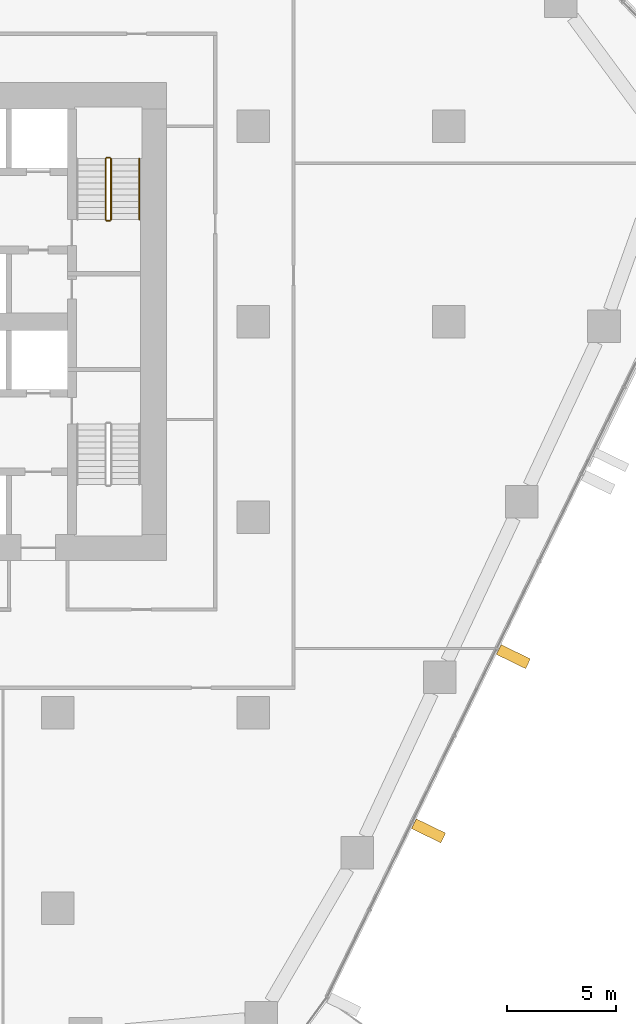
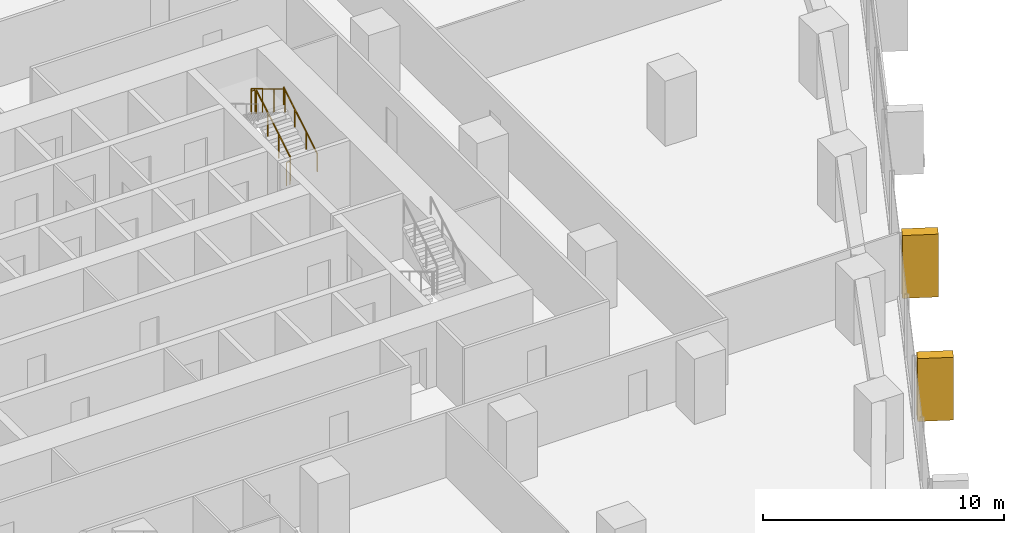
# One storey, part 24 of 25: 5 railings, 2 coverings, 1 element without a shape of its own.
"""IFC4 building model written with IfcOpenShell, lengths in metres."""

from ifc_helpers import new_model, si_unit, direction, frame, origin, origin_2d, place, context, subcontext, project, spatial, rectangle, circle, extrude, material, layer, layer_set, material_profile, profile_set, type_object, element, aggregate, save


model = new_model("IFC4")

# Units and contexts
model_context = context("Model", 3, precision=1e-05, world=origin(), true_north=direction((0.0, 1.0)))
body_context = subcontext(model_context, "Body", "Model", "MODEL_VIEW")
ifc_project = project(units=[si_unit("LENGTHUNIT", "METRE"), si_unit("AREAUNIT", "SQUARE_METRE"), si_unit("VOLUMEUNIT", "CUBIC_METRE"), si_unit("PLANEANGLEUNIT", "RADIAN"), si_unit("MASSUNIT", "GRAM", prefix="KILO")], contexts=[model_context])

# Site, building, storey
site_placement = place(None, origin())
site = spatial("IfcSite", under=ifc_project, at=site_placement, CompositionType="ELEMENT")
building_placement = place(site_placement, origin())
building = spatial("IfcBuilding", under=site, at=building_placement, Name="Dongbaek Canopy Tower", CompositionType="ELEMENT")
storey_placement = place(building_placement, frame((0.0, 0.0, 81.0)))
storey = spatial("IfcBuildingStorey", under=building, at=storey_placement, Name="L16", CompositionType="ELEMENT", Elevation=81.0)

# Curtain wall, coverings
ifc_material_1 = material(Name="Aluminium 6063-T6 pale anodised", Category="aluminium")
ifc_layer = layer(ifc_material_1, 0.199951171875)
ifc_layer_set = layer_set([ifc_layer], Name="CW-1 unitised tower curtain wall")
curtain_wall_type = type_object("IfcCurtainWallType", Name="CW-1 unitised tower curtain wall", PredefinedType="NOTDEFINED", material=ifc_layer_set)
curtain_wall_placement = place(storey_placement, origin())
curtain_wall = element("IfcCurtainWall", 1, at=curtain_wall_placement, inside=storey, type_object=curtain_wall_type, Name="CW-1 curtain wall F5.1", PredefinedType="NOTDEFINED")
ifc_material_2 = material(Name="Aluminium 6063-T6 pale metal fin", Category="aluminium")
ifc_material_profile = material_profile(ifc_material_2, rectangle(XDim=1.5, YDim=0.5, at=origin_2d()), Name="Fin FN1 500 x 1500 pale metal")
ifc_profile_set = profile_set([ifc_material_profile], Name="Aluminium 6063-T6 pale metal fin")
covering_type = type_object("IfcCoveringType", Name="Fin FN1 500 x 1500 pale metal", PredefinedType="CLADDING", material=ifc_profile_set)
covering_1_placement = place(storey_placement, frame((26.06689453125, -23.439453125, 0.1201171875), z_axis=(0.0, 0.0, 1.0), x_axis=(0.899092424879, -0.437758850882, 0.0)))
covering_1 = element("IfcCovering", 2, at=covering_1_placement, type_object=covering_type, Name="Fin F5.1.3", PredefinedType="CLADDING", context=body_context, shape_type="SweptSolid", body=[
    extrude(rectangle(XDim=1.5, YDim=0.5, at=origin_2d()), origin(), (0.0, 0.0, 1.0), 3.179931640625),
])
covering_2_placement = place(storey_placement, frame((29.971435546875, -15.420166015625, 0.1201171875), z_axis=(0.0, 0.0, 1.0), x_axis=(0.899092424879, -0.437758850882, 0.0)))
covering_2 = element("IfcCovering", 3, at=covering_2_placement, type_object=covering_type, Name="Fin F5.1.5", PredefinedType="CLADDING", context=body_context, shape_type="SweptSolid", body=[
    extrude(rectangle(XDim=1.5, YDim=0.5, at=origin_2d()), origin(), (0.0, 0.0, 1.0), 3.179931640625),
])
aggregate(curtain_wall, [covering_1, covering_2])

# Railings
ifc_material_3 = material(Name="Stainless steel tube and balusters", Category="steel")
railing_type_1 = type_object("IfcRailingType", Name="Stair guard 1200", PredefinedType="GUARDRAIL", material=ifc_material_3)
railing_1_placement = place(storey_placement, frame((11.449951171875, 4.699951171875, 0.168212890625)))
element("IfcRailing", 4, at=railing_1_placement, inside=storey, type_object=railing_type_1, Name="L16 ST-A stair guard 1", PredefinedType="GUARDRAIL", context=body_context, shape_type="SweptSolid", body=[
    extrude(circle(Radius=0.02392578125, at=origin_2d()), frame((0.0, 0.0, 1.17578125), z_axis=(0.0, 0.857242210791, 0.514913383045), x_axis=(-1.0, 0.0, 0.0)), (0.0, 0.0, 1.0), 3.266357421875),
    extrude(circle(Radius=0.02099609375, at=origin_2d()), origin(), (0.0, 0.0, 1.0), 1.15185546875),
    extrude(circle(Radius=0.02099609375, at=origin_2d()), frame((0.0, 0.933349609375, 0.560546875)), (0.0, 0.0, 1.0), 1.15185546875),
    extrude(circle(Radius=0.02099609375, at=origin_2d()), frame((0.0, 1.86669921875, 1.121337890625)), (0.0, 0.0, 1.0), 1.15185546875),
    extrude(circle(Radius=0.02099609375, at=origin_2d()), frame((0.0, 2.800048828125, 1.681884765625)), (0.0, 0.0, 1.0), 1.15185546875),
])
railing_2_placement = place(storey_placement, frame((11.39990234375, 7.550048828125, 1.85009765625)))
element("IfcRailing", 5, at=railing_2_placement, inside=storey, type_object=railing_type_1, Name="L16 ST-A stair guard 2", PredefinedType="GUARDRAIL", context=body_context, shape_type="SweptSolid", body=[
    extrude(circle(Radius=0.02392578125, at=origin_2d()), frame((0.0, 0.0, 1.17578125), z_axis=(-1.0, 0.0, 0.0), x_axis=(0.0, -1.0, 0.0)), (0.0, 0.0, 1.0), 0.14990234375),
    extrude(circle(Radius=0.02099609375, at=origin_2d()), origin(), (0.0, 0.0, 1.0), 1.15185546875),
    extrude(circle(Radius=0.02099609375, at=origin_2d()), frame((-0.14990234375, 0.0, 0.0)), (0.0, 0.0, 1.0), 1.15185546875),
])
railing_3_placement = place(storey_placement, frame((11.199951171875, 7.5, 2.01806640625)))
element("IfcRailing", 6, at=railing_3_placement, inside=storey, type_object=railing_type_1, Name="L16 ST-A stair guard 3", PredefinedType="GUARDRAIL", context=body_context, shape_type="SweptSolid", body=[
    extrude(circle(Radius=0.02392578125, at=origin_2d()), frame((0.0, 0.0, 1.17578125), z_axis=(0.0, -0.857242210791, 0.514913383045), x_axis=(1.0, 0.0, 0.0)), (0.0, 0.0, 1.0), 3.266357421875),
    extrude(circle(Radius=0.02099609375, at=origin_2d()), origin(), (0.0, 0.0, 1.0), 1.15185546875),
    extrude(circle(Radius=0.02099609375, at=origin_2d()), frame((0.0, -0.933349609375, 0.560546875)), (0.0, 0.0, 1.0), 1.15185546875),
    extrude(circle(Radius=0.02099609375, at=origin_2d()), frame((0.0, -1.86669921875, 1.121337890625)), (0.0, 0.0, 1.0), 1.15185546875),
    extrude(circle(Radius=0.02099609375, at=origin_2d()), frame((0.0, -2.800048828125, 1.681884765625)), (0.0, 0.0, 1.0), 1.15185546875),
])
railing_4_placement = place(storey_placement, frame((11.39990234375, 4.64990234375, 0.0)))
element("IfcRailing", 7, at=railing_4_placement, inside=storey, type_object=railing_type_1, Name="L16 ST-A stair guard 4", PredefinedType="GUARDRAIL", context=body_context, shape_type="SweptSolid", body=[
    extrude(circle(Radius=0.02392578125, at=origin_2d()), frame((0.0, 0.0, 1.17578125), z_axis=(-1.0, 0.0, 0.0), x_axis=(0.0, -1.0, 0.0)), (0.0, 0.0, 1.0), 0.14990234375),
    extrude(circle(Radius=0.02099609375, at=origin_2d()), origin(), (0.0, 0.0, 1.0), 1.15185546875),
    extrude(circle(Radius=0.02099609375, at=origin_2d()), frame((-0.14990234375, 0.0, 0.0)), (0.0, 0.0, 1.0), 1.15185546875),
])
ifc_material_4 = material(Name="Stainless steel tube", Category="steel")
railing_type_2 = type_object("IfcRailingType", Name="Stair handrail 900", PredefinedType="HANDRAIL", material=ifc_material_4)
railing_5_placement = place(storey_placement, frame((12.75, 4.699951171875, 0.168212890625)))
element("IfcRailing", 8, at=railing_5_placement, inside=storey, type_object=railing_type_2, Name="L16 ST-A stair handrail 1", PredefinedType="HANDRAIL", context=body_context, shape_type="SweptSolid", body=[
    extrude(circle(Radius=0.02392578125, at=origin_2d()), frame((0.0, 0.0, 0.8759765625), z_axis=(0.0, 0.857242210791, 0.514913383045), x_axis=(-1.0, 0.0, 0.0)), (0.0, 0.0, 1.0), 3.266357421875),
    extrude(circle(Radius=0.02099609375, at=origin_2d()), origin(), (0.0, 0.0, 1.0), 0.851806640625),
    extrude(circle(Radius=0.02099609375, at=origin_2d()), frame((0.0, 0.933349609375, 0.560546875)), (0.0, 0.0, 1.0), 0.851806640625),
    extrude(circle(Radius=0.02099609375, at=origin_2d()), frame((0.0, 1.86669921875, 1.121337890625)), (0.0, 0.0, 1.0), 0.851806640625),
    extrude(circle(Radius=0.02099609375, at=origin_2d()), frame((0.0, 2.800048828125, 1.681884765625)), (0.0, 0.0, 1.0), 0.851806640625),
])

save(model, "model.ifc")
